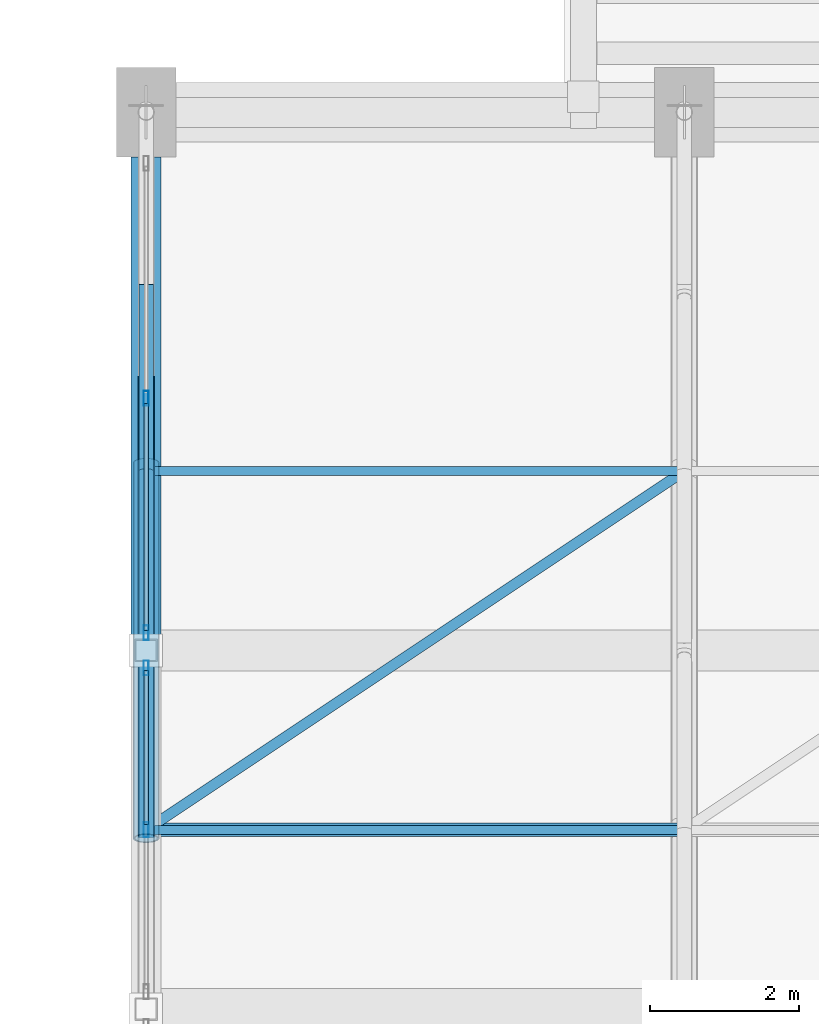
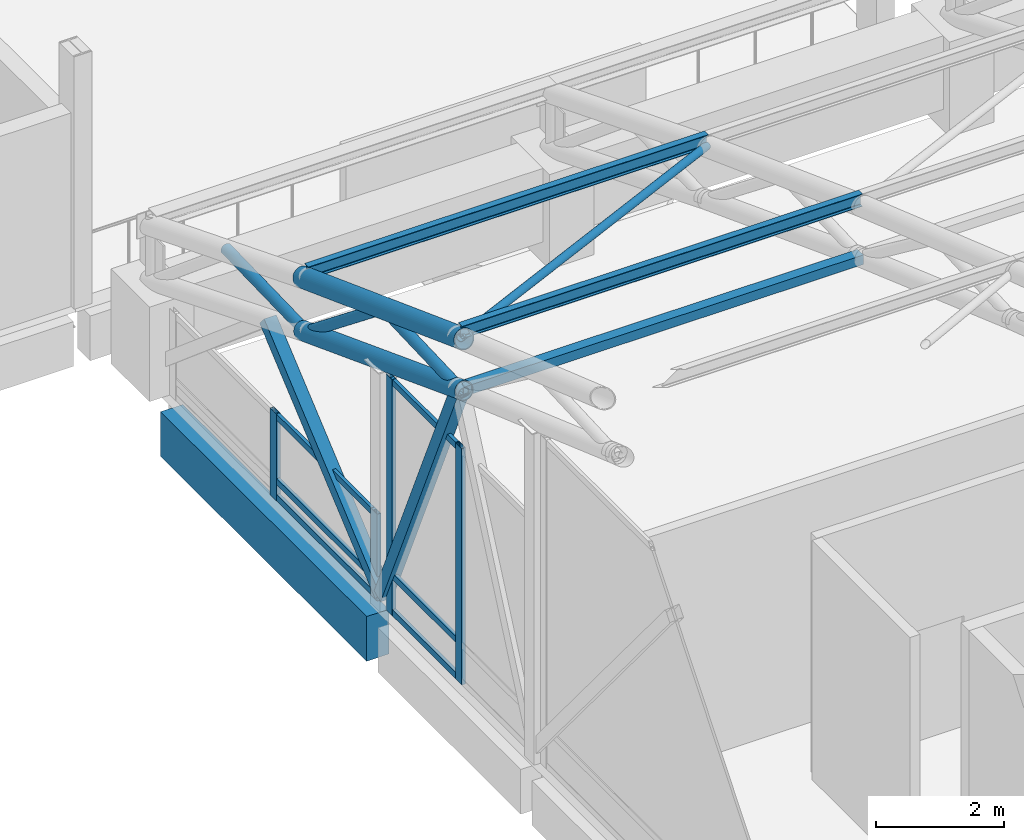
# One storey, part 48 of 116: 21 members, 1 beam, 2 elements without a shape of their own.
"""IFC4 building model written with IfcOpenShell, lengths in metres."""

from ifc_helpers import new_model, si_unit, direction, frame, origin, origin_2d, place, context, subcontext, project, spatial, rectangle, hollow_rectangle, hollow_circle, i_section, extrude, material, material_profile, profile_set, type_object, element, aggregate, save


model = new_model("IFC4")

# Units and contexts
model_context = context("Model", 3, precision=1e-05, world=origin(), true_north=direction((0.0, 1.0)))
body_context = subcontext(model_context, "Body", "Model", "MODEL_VIEW")
ifc_project = project(units=[si_unit("LENGTHUNIT", "METRE"), si_unit("AREAUNIT", "SQUARE_METRE"), si_unit("VOLUMEUNIT", "CUBIC_METRE"), si_unit("PLANEANGLEUNIT", "RADIAN"), si_unit("MASSUNIT", "GRAM", prefix="KILO")], contexts=[model_context])

# Site, building, storey
site_placement = place(None, origin())
site = spatial("IfcSite", under=ifc_project, at=site_placement, CompositionType="ELEMENT")
building_placement = place(site_placement, origin())
building = spatial("IfcBuilding", under=site, at=building_placement, Name="Cendralis Lancet Convention Centre", CompositionType="ELEMENT")
storey_placement = place(building_placement, frame((0.0, 0.0, 15.0)))
storey = spatial("IfcBuildingStorey", under=building, at=storey_placement, Name="L03", CompositionType="ELEMENT", Elevation=15.0)

# Curtain wall, members
ifc_material_1 = material(Name="Anodised bronze architectural aluminium", Category="aluminium")
curtain_wall_type = type_object("IfcCurtainWallType", Name="ARC-CW-PL02", PredefinedType="USERDEFINED", material=ifc_material_1)
curtain_wall_1_placement = place(storey_placement, origin())
curtain_wall_1 = element("IfcCurtainWall", 1, at=curtain_wall_1_placement, inside=storey, type_object=curtain_wall_type, Name="L03 Curtain Wall CW-PL2 #139", ObjectType="CURTAIN WALL", PredefinedType="USERDEFINED")
ifc_material_profile_1 = material_profile(ifc_material_1, hollow_rectangle(XDim=0.070068359375, YDim=0.199951171875, WallThickness=0.0048828125, at=origin_2d()), Name="AL-MULL 70x200x5.0")
ifc_profile_set_1 = profile_set([ifc_material_profile_1], Name="Anodised bronze architectural aluminium")
member_type_1 = type_object("IfcMemberType", Name="ARC-CW-ML02", PredefinedType="MULLION", material=ifc_profile_set_1)
member_1_placement = place(storey_placement, frame((139.199951171875, 81.60009765625, 0.0), z_axis=(0.0, 0.0, 1.0), x_axis=(1.0, 0.0, 0.0)))
member_1 = element("IfcMember", 2, at=member_1_placement, type_object=member_type_1, Name="Mullion CW2-CW-PL2-L03-139-M1", PredefinedType="MULLION", context=body_context, shape_type="SweptSolid", body=[
    extrude(hollow_rectangle(XDim=0.070068359375, YDim=0.199951171875, WallThickness=0.0048828125, at=origin_2d()), origin(), (0.0, 0.0, 1.0), 4.4970703125),
])
member_2_placement = place(storey_placement, frame((139.199951171875, 83.764892578125, 0.0), z_axis=(0.0, 0.0, 1.0), x_axis=(1.0, 0.0, 0.0)))
member_2 = element("IfcMember", 3, at=member_2_placement, type_object=member_type_1, Name="Mullion CW2-CW-PL2-L03-139-M2", PredefinedType="MULLION", context=body_context, shape_type="SweptSolid", body=[
    extrude(hollow_rectangle(XDim=0.070068359375, YDim=0.199951171875, WallThickness=0.0048828125, at=origin_2d()), origin(), (0.0, 0.0, 1.0), 4.4970703125),
])

curtain_wall_2_placement = place(storey_placement, origin())
curtain_wall_2 = element("IfcCurtainWall", 4, at=curtain_wall_2_placement, inside=storey, type_object=curtain_wall_type, Name="L03 Curtain Wall CW-PL2 #140", ObjectType="CURTAIN WALL", PredefinedType="USERDEFINED")
member_3_placement = place(storey_placement, frame((139.199951171875, 84.235107421875, 0.0), z_axis=(0.0, 0.0, 1.0), x_axis=(1.0, 0.0, 0.0)))
member_3 = element("IfcMember", 5, at=member_3_placement, type_object=member_type_1, Name="Mullion CW2-CW-PL2-L03-140-M0", PredefinedType="MULLION", context=body_context, shape_type="SweptSolid", body=[
    extrude(hollow_rectangle(XDim=0.070068359375, YDim=0.199951171875, WallThickness=0.0048828125, at=origin_2d()), origin(), (0.0, 0.0, 1.0), 1.64990234375),
])
member_4_placement = place(storey_placement, frame((139.199951171875, 87.375, 0.0), z_axis=(0.0, 0.0, 1.0), x_axis=(1.0, 0.0, 0.0)))
member_4 = element("IfcMember", 6, at=member_4_placement, type_object=member_type_1, Name="Mullion CW2-CW-PL2-L03-140-M1", PredefinedType="MULLION", context=body_context, shape_type="SweptSolid", body=[
    extrude(hollow_rectangle(XDim=0.070068359375, YDim=0.199951171875, WallThickness=0.0048828125, at=origin_2d()), origin(), (0.0, 0.0, 1.0), 1.64990234375),
])

# Member
ifc_material_profile_2 = material_profile(ifc_material_1, hollow_rectangle(XDim=0.06005859375, YDim=0.1201171875, WallThickness=0.00390625, at=origin_2d()), Name="AL-TRAN 60x120x4.0")
ifc_profile_set_2 = profile_set([ifc_material_profile_2], Name="Anodised bronze architectural aluminium")
member_type_2 = type_object("IfcMemberType", Name="ARC-CW-TR01", PredefinedType="USERDEFINED", material=ifc_profile_set_2)
member_5_placement = place(storey_placement, frame((139.199951171875, 81.669921875, 0.06005859375), z_axis=(0.0, 1.0, 0.0), x_axis=(-1.0, 0.0, 0.0)))
member_5 = element("IfcMember", 7, at=member_5_placement, type_object=member_type_2, Name="Transom CW2-CW-PL2-L03-139-T1BOT", ObjectType="TRANSOM", PredefinedType="USERDEFINED", context=body_context, shape_type="SweptSolid", body=[
    extrude(hollow_rectangle(XDim=0.06005859375, YDim=0.1201171875, WallThickness=0.00390625, at=origin_2d()), origin(), (0.0, 0.0, 1.0), 2.06005859375),
])

member_6_placement = place(storey_placement, frame((139.199951171875, 81.669921875, 0.75), z_axis=(0.0, 1.0, 0.0), x_axis=(-1.0, 0.0, 0.0)))
member_6 = element("IfcMember", 8, at=member_6_placement, type_object=member_type_2, Name="Transom CW2-CW-PL2-L03-139-T1MID", ObjectType="TRANSOM", PredefinedType="USERDEFINED", context=body_context, shape_type="SweptSolid", body=[
    extrude(hollow_rectangle(XDim=0.06005859375, YDim=0.1201171875, WallThickness=0.00390625, at=origin_2d()), origin(), (0.0, 0.0, 1.0), 2.06005859375),
])

member_7_placement = place(storey_placement, frame((139.199951171875, 81.669921875, 4.43701171875), z_axis=(0.0, 1.0, 0.0), x_axis=(-1.0, 0.0, 0.0)))
member_7 = element("IfcMember", 9, at=member_7_placement, type_object=member_type_2, Name="Transom CW2-CW-PL2-L03-139-T1TOP", ObjectType="TRANSOM", PredefinedType="USERDEFINED", context=body_context, shape_type="SweptSolid", body=[
    extrude(hollow_rectangle(XDim=0.06005859375, YDim=0.1201171875, WallThickness=0.00390625, at=origin_2d()), origin(), (0.0, 0.0, 1.0), 2.06005859375),
])

aggregate(curtain_wall_1, [member_1, member_2, member_5, member_6, member_7])

member_8_placement = place(storey_placement, frame((139.199951171875, 84.27001953125, 0.06005859375), z_axis=(0.0, 1.0, 0.0), x_axis=(-1.0, 0.0, 0.0)))
member_8 = element("IfcMember", 10, at=member_8_placement, type_object=member_type_2, Name="Transom CW2-CW-PL2-L03-140-T0BOT", ObjectType="TRANSOM", PredefinedType="USERDEFINED", context=body_context, shape_type="SweptSolid", body=[
    extrude(hollow_rectangle(XDim=0.06005859375, YDim=0.1201171875, WallThickness=0.00390625, at=origin_2d()), origin(), (0.0, 0.0, 1.0), 3.034912109375),
])

member_9_placement = place(storey_placement, frame((139.199951171875, 84.27001953125, 0.363037109375), z_axis=(0.0, 1.0, 0.0), x_axis=(-1.0, 0.0, 0.0)))
member_9 = element("IfcMember", 11, at=member_9_placement, type_object=member_type_2, Name="Transom CW2-CW-PL2-L03-140-T0MID", ObjectType="TRANSOM", PredefinedType="USERDEFINED", context=body_context, shape_type="SweptSolid", body=[
    extrude(hollow_rectangle(XDim=0.06005859375, YDim=0.1201171875, WallThickness=0.00390625, at=origin_2d()), origin(), (0.0, 0.0, 1.0), 3.034912109375),
])

member_10_placement = place(storey_placement, frame((139.199951171875, 84.27001953125, 1.590087890625), z_axis=(0.0, 1.0, 0.0), x_axis=(-1.0, 0.0, 0.0)))
member_10 = element("IfcMember", 12, at=member_10_placement, type_object=member_type_2, Name="Transom CW2-CW-PL2-L03-140-T0TOP", ObjectType="TRANSOM", PredefinedType="USERDEFINED", context=body_context, shape_type="SweptSolid", body=[
    extrude(hollow_rectangle(XDim=0.06005859375, YDim=0.1201171875, WallThickness=0.00390625, at=origin_2d()), origin(), (0.0, 0.0, 1.0), 3.034912109375),
])

aggregate(curtain_wall_2, [member_3, member_4, member_8, member_9, member_10])

# Members
ifc_material_2 = material(Name="Steel S355", Category="steel")
ifc_material_profile_3 = material_profile(ifc_material_2, hollow_rectangle(XDim=0.219970703125, YDim=0.219970703125, WallThickness=0.012451171875, at=origin_2d()), Name="SHS 220x220x12.5")
ifc_profile_set_3 = profile_set([ifc_material_profile_3], Name="Steel S355")
member_type_3 = type_object("IfcMemberType", Name="STR-BR-GB02", PredefinedType="BRACE", material=ifc_profile_set_3)
member_11_placement = place(storey_placement, frame((139.199951171875, 84.0, 0.199951171875), z_axis=(0.0, -0.408907793548, 0.912575704463), x_axis=(1.0, 0.0, 0.0)))
element("IfcMember", 13, at=member_11_placement, inside=storey, type_object=member_type_3, Name="Plenary Gable Gothic Ogival Tracery Rib GBR2 #068", PredefinedType="BRACE", context=body_context, shape_type="SweptSolid", body=[
    extrude(hollow_rectangle(XDim=0.219970703125, YDim=0.219970703125, WallThickness=0.012451171875, at=origin_2d()), origin(), (0.0, 0.0, 1.0), 5.869140625),
])
member_12_placement = place(storey_placement, frame((139.199951171875, 84.0, 0.199951171875), z_axis=(0.0, 0.762604993608, 0.646864455449), x_axis=(-1.0, 0.0, 0.0)))
element("IfcMember", 14, at=member_12_placement, inside=storey, type_object=member_type_3, Name="Plenary Gable Gothic Ogival Tracery Rib GBR2 #069", PredefinedType="BRACE", context=body_context, shape_type="SweptSolid", body=[
    extrude(hollow_rectangle(XDim=0.219970703125, YDim=0.219970703125, WallThickness=0.012451171875, at=origin_2d()), origin(), (0.0, 0.0, 1.0), 4.720703125),
])
ifc_material_profile_4 = material_profile(ifc_material_2, hollow_circle(Radius=0.06982421875, WallThickness=0.00634765625, at=origin_2d()), Name="CHS 139.7x6.3")
ifc_profile_set_4 = profile_set([ifc_material_profile_4], Name="Steel S355")
member_type_4 = type_object("IfcMemberType", Name="STR-BR-RB02", PredefinedType="BRACE", material=ifc_profile_set_4)
member_13_placement = place(storey_placement, frame((139.199951171875, 81.60009765625, 6.538818359375), z_axis=(0.814912264104, 0.54325642102, -0.201966489381), x_axis=(-0.554687174313, 0.832058975466, 0.0)))
element("IfcMember", 15, at=member_13_placement, inside=storey, type_object=member_type_4, Name="Roof Diaphragm Brace RB02 V2-00-08A", PredefinedType="BRACE", context=body_context, shape_type="SweptSolid", body=[
    extrude(hollow_circle(Radius=0.06982421875, WallThickness=0.00634765625, at=origin_2d()), origin(), (0.0, 0.0, 1.0), 8.835205078125),
])
ifc_material_profile_5 = material_profile(ifc_material_2, hollow_rectangle(XDim=0.179931640625, YDim=0.179931640625, WallThickness=0.010009765625, at=origin_2d()), Name="SHS 180x180x10.0")
ifc_profile_set_5 = profile_set([ifc_material_profile_5], Name="Steel S355")
member_type_5 = type_object("IfcMemberType", Name="STR-BR-ST02", PredefinedType="STRUT", material=ifc_profile_set_5)
member_14_placement = place(storey_placement, frame((139.199951171875, 81.60009765625, 5.555908203125), z_axis=(1.0, 0.0, 0.0), x_axis=(0.0, 1.0, 0.0)))
element("IfcMember", 16, at=member_14_placement, inside=storey, type_object=member_type_5, Name="Arch Tie Strut ST02 V2-00-08", PredefinedType="STRUT", context=body_context, shape_type="SweptSolid", body=[
    extrude(hollow_rectangle(XDim=0.179931640625, YDim=0.179931640625, WallThickness=0.010009765625, at=origin_2d()), origin(), (0.0, 0.0, 1.0), 7.199951171875),
])
ifc_material_profile_6 = material_profile(ifc_material_2, i_section(OverallWidth=0.1201171875, OverallDepth=0.239990234375, WebThickness=0.006103515625, FlangeThickness=0.009765625, FilletRadius=0.014892578125, at=origin_2d()), Name="IPE 240")
ifc_profile_set_6 = profile_set([ifc_material_profile_6], Name="Steel S355")
member_type_6 = type_object("IfcMemberType", Name="STR-PR-PR02", PredefinedType="PURLIN", material=ifc_profile_set_6)
for number, where, z_axis, x_axis, name in (
    (17, (139.199951171875, 81.60009765625, 6.668701171875), (1.0, 0.0, 0.0), (0.0, 1.0, 0.0), "Vault Roof Purlin PR02 V2-00-08"),
    (18, (139.199951171875, 86.39990234375, 4.884521484375), (1.0, 0.0, 0.0), (0.0, 1.0, 0.0), "Vault Roof Purlin PR02 V2-00-09"),
):
    element("IfcMember", number, at=place(storey_placement, frame(where, z_axis=z_axis, x_axis=x_axis)), inside=storey, type_object=member_type_6, Name=name, PredefinedType="PURLIN", context=body_context, shape_type="SweptSolid", body=[
        extrude(i_section(OverallWidth=0.1201171875, OverallDepth=0.239990234375, WebThickness=0.006103515625, FlangeThickness=0.009765625, FilletRadius=0.014892578125, at=origin_2d()), origin(), (0.0, 0.0, 1.0), 7.199951171875),
    ])

# Beam
ifc_material_3 = material(Name="Concrete G40 (C40/50)", Category="concrete")
ifc_material_profile_7 = material_profile(ifc_material_3, rectangle(XDim=0.39990234375, YDim=0.85009765625, at=origin_2d()), Name="RCB 400x850")
ifc_profile_set_7 = profile_set([ifc_material_profile_7], Name="Concrete G40 (C40/50)")
beam_type = type_object("IfcBeamType", Name="STR-SP-SP02", PredefinedType="SPANDREL", material=ifc_profile_set_7)
beam_placement = place(storey_placement, frame((139.199951171875, 84.175048828125, -0.68505859375), z_axis=(0.0, 1.0, 0.0), x_axis=(-1.0, 0.0, 0.0)))
element("IfcBeam", 19, at=beam_placement, inside=storey, type_object=beam_type, Name="L03 Beam SP02 #1536", PredefinedType="SPANDREL", context=body_context, shape_type="SweptSolid", body=[
    extrude(rectangle(XDim=0.39990234375, YDim=0.85009765625, at=origin_2d()), origin(), (0.0, 0.0, 1.0), 6.425048828125),
])

# Members
ifc_material_profile_8 = material_profile(ifc_material_2, hollow_circle(Radius=0.161865234375, WallThickness=0.01416015625, at=origin_2d()), Name="CHS 323.9x14.2")
ifc_profile_set_8 = profile_set([ifc_material_profile_8], Name="Steel S355")
member_type_7 = type_object("IfcMemberType", Name="STR-TR-BC02", PredefinedType="CHORD", material=ifc_profile_set_8)
member_15_placement = place(storey_placement, frame((139.199951171875, 81.48779296875, 5.598388671875), z_axis=(0.0, 0.935181338514, -0.354169259105), x_axis=(-1.0, 0.0, 0.0)))
element("IfcMember", 20, at=member_15_placement, inside=storey, type_object=member_type_7, Name="ROOF TRUSS AT-V2-01 Bottom Chord 08", PredefinedType="CHORD", context=body_context, shape_type="SweptSolid", body=[
    extrude(hollow_circle(Radius=0.161865234375, WallThickness=0.01416015625, at=origin_2d()), origin(), (0.0, 0.0, 1.0), 5.37255859375),
])
ifc_material_profile_9 = material_profile(ifc_material_2, hollow_circle(Radius=0.177734375, WallThickness=0.01611328125, at=origin_2d()), Name="CHS 355.6x16.0")
ifc_profile_set_9 = profile_set([ifc_material_profile_9], Name="Steel S355")
member_type_8 = type_object("IfcMemberType", Name="STR-TR-TC02", PredefinedType="CHORD", material=ifc_profile_set_9)
member_16_placement = place(storey_placement, frame((139.199951171875, 81.487548828125, 6.58056640625), z_axis=(0.0, 0.937332228344, -0.34843692931), x_axis=(-1.0, 0.0, 0.0)))
element("IfcMember", 21, at=member_16_placement, inside=storey, type_object=member_type_8, Name="ROOF TRUSS AT-V2-01 Top Chord 08", PredefinedType="CHORD", context=body_context, shape_type="SweptSolid", body=[
    extrude(hollow_circle(Radius=0.177734375, WallThickness=0.01611328125, at=origin_2d()), origin(), (0.0, 0.0, 1.0), 5.36083984375),
])
ifc_material_profile_10 = material_profile(ifc_material_2, hollow_circle(Radius=0.096923828125, WallThickness=0.008056640625, at=origin_2d()), Name="CHS 193.7x8.0")
ifc_profile_set_10 = profile_set([ifc_material_profile_10], Name="Steel S355")
member_type_9 = type_object("IfcMemberType", Name="STR-TR-WD02", PredefinedType="BRACE", material=ifc_profile_set_10)
member_17_placement = place(storey_placement, frame((139.199951171875, 81.5, 5.55224609375), z_axis=(0.0, 0.999288228514, 0.037723154086), x_axis=(-1.0, 0.0, 0.0)))
element("IfcMember", 22, at=member_17_placement, inside=storey, type_object=member_type_9, Name="ROOF TRUSS AT-V2-01 Warren Web 08-0", PredefinedType="BRACE", context=body_context, shape_type="SweptSolid", body=[
    extrude(hollow_circle(Radius=0.096923828125, WallThickness=0.008056640625, at=origin_2d()), origin(), (0.0, 0.0, 1.0), 2.601806640625),
])
member_18_placement = place(storey_placement, frame((139.199951171875, 83.921630859375, 5.708984375), z_axis=(0.0, 0.782673873306, -0.62243201078), x_axis=(-1.0, 0.0, 0.0)))
element("IfcMember", 23, at=member_18_placement, inside=storey, type_object=member_type_9, Name="ROOF TRUSS AT-V2-01 Warren Web 08-1", PredefinedType="BRACE", context=body_context, shape_type="SweptSolid", body=[
    extrude(hollow_circle(Radius=0.096923828125, WallThickness=0.008056640625, at=origin_2d()), origin(), (0.0, 0.0, 1.0), 3.2666015625),
])
member_19_placement = place(storey_placement, frame((139.199951171875, 86.300048828125, 3.7353515625), z_axis=(0.0, 0.999642061144, 0.0267534968), x_axis=(-1.0, 0.0, 0.0)))
element("IfcMember", 24, at=member_19_placement, inside=storey, type_object=member_type_9, Name="ROOF TRUSS AT-V2-01 Warren Web 09-0", PredefinedType="BRACE", context=body_context, shape_type="SweptSolid", body=[
    extrude(hollow_circle(Radius=0.096923828125, WallThickness=0.008056640625, at=origin_2d()), origin(), (0.0, 0.0, 1.0), 2.600830078125),
])

save(model, "model.ifc")
